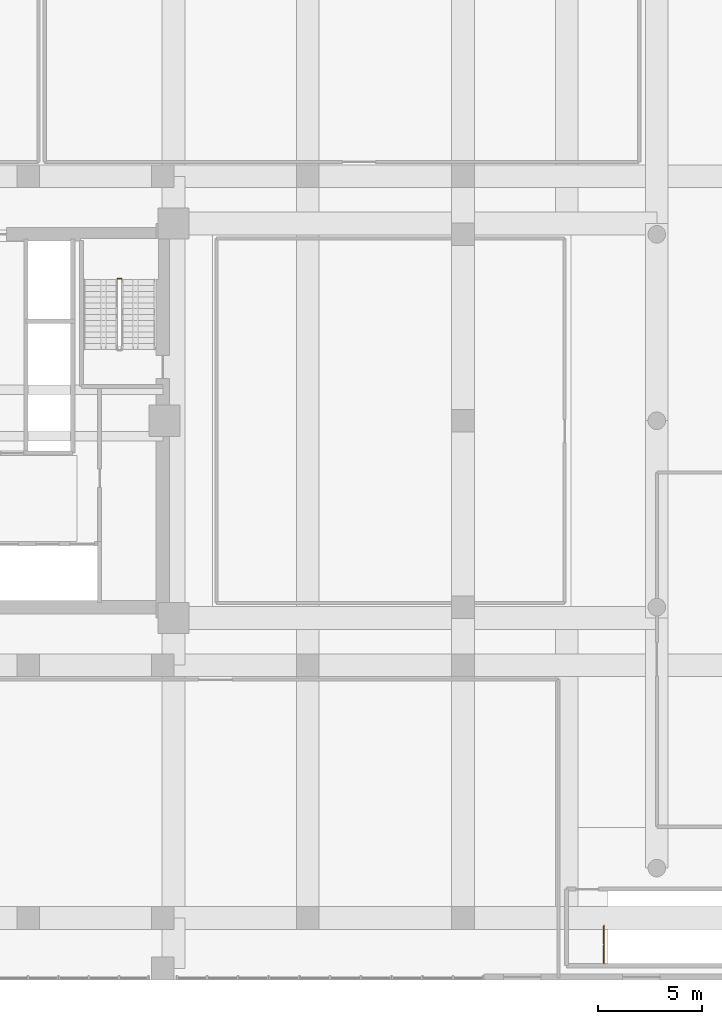
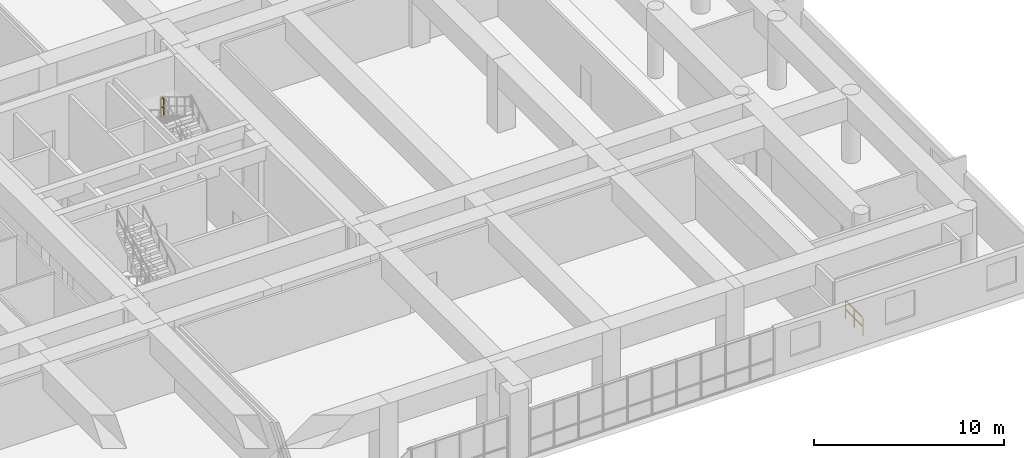
# One storey, part 27 of 28: 2 railings.
"""IFC4 building model written with IfcOpenShell, lengths in metres."""

from ifc_helpers import new_model, si_unit, direction, frame, origin, origin_2d, place, context, subcontext, project, spatial, rectangle, extrude, material, type_object, element, save


model = new_model("IFC4")

# Units and contexts
model_context = context("Model", 3, precision=1e-05, world=origin(), true_north=direction((0.0, 1.0)))
body_context = subcontext(model_context, "Body", "Model", "MODEL_VIEW")
ifc_project = project(units=[si_unit("LENGTHUNIT", "METRE"), si_unit("AREAUNIT", "SQUARE_METRE"), si_unit("VOLUMEUNIT", "CUBIC_METRE"), si_unit("PLANEANGLEUNIT", "RADIAN"), si_unit("MASSUNIT", "GRAM", prefix="KILO")], contexts=[model_context])

# Site, building, storey
site_placement = place(None, origin())
site = spatial("IfcSite", under=ifc_project, at=site_placement, CompositionType="ELEMENT")
building_placement = place(site_placement, origin())
building = spatial("IfcBuilding", under=site, at=building_placement, Name="Saelheon Loggia Tower", CompositionType="ELEMENT")
storey_placement = place(building_placement, frame((0.0, 0.0, 15.0)))
storey = spatial("IfcBuildingStorey", under=building, at=storey_placement, Name="L04", CompositionType="ELEMENT", Elevation=15.0)

# Railings
ifc_material = material(Name="Galvanised Steel S275 Stairwell Guardrail", Category="steel")
railing_type = type_object("IfcRailingType", Name="Guard_StairWell_RL_STG", PredefinedType="GUARDRAIL", material=ifc_material)
railing_1_placement = place(storey_placement, frame((42.489990234375, 33.860107421875, 2.199951171875)))
element("IfcRailing", 1, at=railing_1_placement, inside=storey, type_object=railing_type, Name="L04 ST2 stair guard 2", PredefinedType="GUARDRAIL", context=body_context, shape_type="SweptSolid", body=[
    extrude(rectangle(XDim=0.048095703125, YDim=0.048095703125, at=origin_2d()), frame((-0.033203125, 0.0, 1.17578125), z_axis=(-1.0, 0.0, 0.0), x_axis=(0.0, -1.0, 0.0)), (0.0, 0.0, 1.0), 0.093505859375),
    extrude(rectangle(XDim=0.048095703125, YDim=0.048095703125, at=origin_2d()), frame((-0.033203125, 0.0, 0.60009765625), z_axis=(-1.0, 0.0, 0.0), x_axis=(0.0, -1.0, 0.0)), (0.0, 0.0, 1.0), 0.093505859375),
    extrude(rectangle(XDim=0.0419921875, YDim=0.0419921875, at=origin_2d()), origin(), (0.0, 0.0, 1.0), 1.14794921875),
    extrude(rectangle(XDim=0.0419921875, YDim=0.0419921875, at=origin_2d()), frame((-0.159912109375, 0.0, 0.0)), (0.0, 0.0, 1.0), 1.14794921875),
])
railing_2_placement = place(storey_placement, frame((65.800048828125, 0.800048828125, 0.0)))
element("IfcRailing", 2, at=railing_2_placement, inside=storey, type_object=railing_type, Name="L04 ST4 top well guard 1", PredefinedType="GUARDRAIL", context=body_context, shape_type="SweptSolid", body=[
    extrude(rectangle(XDim=0.048095703125, YDim=0.048095703125, at=origin_2d()), frame((0.0, 0.033203125, 1.17578125), z_axis=(0.0, 1.0, 0.0), x_axis=(-1.0, 0.0, 0.0)), (0.0, 0.0, 1.0), 0.843505859375),
    extrude(rectangle(XDim=0.048095703125, YDim=0.048095703125, at=origin_2d()), frame((0.0, 0.033203125, 0.60009765625), z_axis=(0.0, 1.0, 0.0), x_axis=(-1.0, 0.0, 0.0)), (0.0, 0.0, 1.0), 0.843505859375),
    extrude(rectangle(XDim=0.048095703125, YDim=0.048095703125, at=origin_2d()), frame((0.0, 0.943359375, 1.17578125), z_axis=(0.0, 1.0, 0.0), x_axis=(-1.0, 0.0, 0.0)), (0.0, 0.0, 1.0), 0.843505859375),
    extrude(rectangle(XDim=0.048095703125, YDim=0.048095703125, at=origin_2d()), frame((0.0, 0.943359375, 0.60009765625), z_axis=(0.0, 1.0, 0.0), x_axis=(-1.0, 0.0, 0.0)), (0.0, 0.0, 1.0), 0.843505859375),
    extrude(rectangle(XDim=0.0419921875, YDim=0.0419921875, at=origin_2d()), origin(), (0.0, 0.0, 1.0), 1.14794921875),
    extrude(rectangle(XDim=0.0419921875, YDim=0.0419921875, at=origin_2d()), frame((0.0, 0.91015625, 0.0)), (0.0, 0.0, 1.0), 1.14794921875),
    extrude(rectangle(XDim=0.0419921875, YDim=0.0419921875, at=origin_2d()), frame((0.0, 1.820068359375, 0.0)), (0.0, 0.0, 1.0), 1.14794921875),
])

save(model, "model.ifc")
